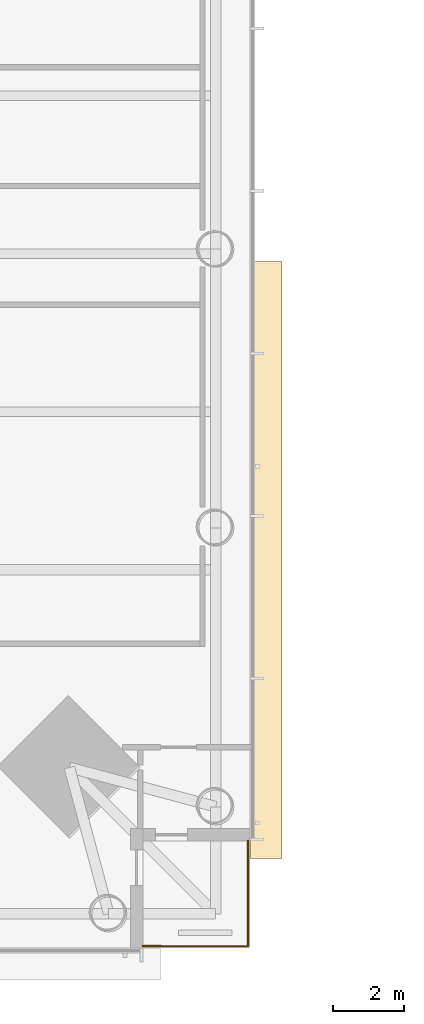
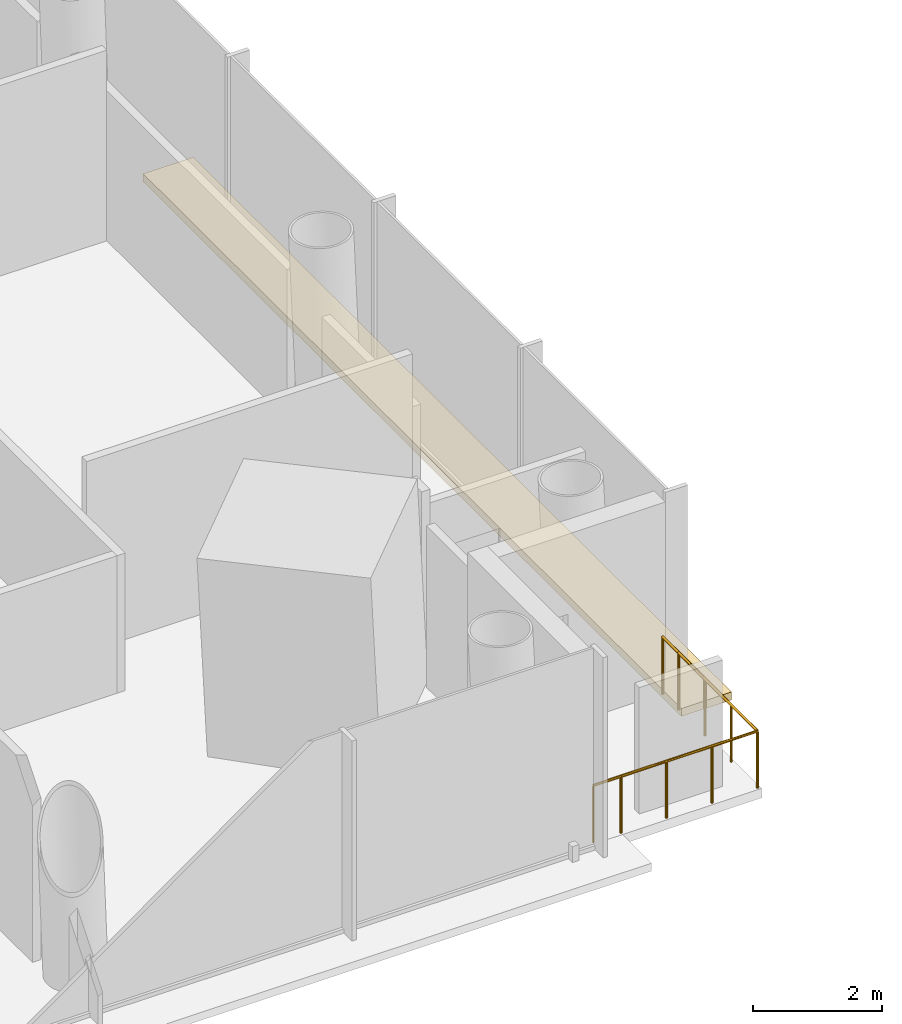
# One storey, part 24 of 26: 3 railings, 1 covering.
"""IFC4 building model written with IfcOpenShell, lengths in metres."""

from ifc_helpers import new_model, si_unit, direction, frame, origin, origin_2d, place, context, subcontext, project, spatial, polyline, circle, outline, extrude, material, layer, layer_set, type_object, element, save


model = new_model("IFC4")

# Units and contexts
model_context = context("Model", 3, precision=1e-05, world=origin(), true_north=direction((0.0, 1.0)))
body_context = subcontext(model_context, "Body", "Model", "MODEL_VIEW")
ifc_project = project(units=[si_unit("LENGTHUNIT", "METRE"), si_unit("AREAUNIT", "SQUARE_METRE"), si_unit("VOLUMEUNIT", "CUBIC_METRE"), si_unit("PLANEANGLEUNIT", "RADIAN"), si_unit("MASSUNIT", "GRAM", prefix="KILO")], contexts=[model_context])

# Site, building, storey
site_placement = place(None, origin())
site = spatial("IfcSite", under=ifc_project, at=site_placement, CompositionType="ELEMENT")
building_placement = place(site_placement, origin())
building = spatial("IfcBuilding", under=site, at=building_placement, Name="Ostroluk Exchange", CompositionType="ELEMENT")
storey_placement = place(building_placement, frame((0.0, 0.0, 66.60009765625)))
storey = spatial("IfcBuildingStorey", under=building, at=storey_placement, Name="L16", CompositionType="ELEMENT", Elevation=66.60009765625)

# Railings
ifc_material_1 = material(Name="Stainless steel", Category="steel")
railing_type_1 = type_object("IfcRailingType", Name="Guard 1100 stainless steel", PredefinedType="GUARDRAIL", material=ifc_material_1)
railing_1_placement = place(storey_placement, frame((66.0, 22.550048828125, 0.0)))
element("IfcRailing", 1, at=railing_1_placement, inside=storey, type_object=railing_type_1, Name="Office tower SE balcony guard L16", PredefinedType="GUARDRAIL", context=body_context, shape_type="SweptSolid", body=[
    extrude(circle(Radius=0.02392578125, at=origin_2d()), frame((0.0, 0.0, 1.076171875), z_axis=(1.0, 0.0, 0.0), x_axis=(0.0, 1.0, 0.0)), (0.0, 0.0, 1.0), 2.449951171875),
    extrude(circle(Radius=0.02392578125, at=origin_2d()), frame((2.449951171875, 0.0, 1.076171875), z_axis=(0.0, 1.0, 0.0), x_axis=(-1.0, 0.0, 0.0)), (0.0, 0.0, 1.0), 2.449951171875),
    extrude(circle(Radius=0.02099609375, at=origin_2d()), origin(), (0.0, 0.0, 1.0), 1.052001953125),
    extrude(circle(Radius=0.02099609375, at=origin_2d()), frame((0.816650390625, 0.0, 0.0)), (0.0, 0.0, 1.0), 1.052001953125),
    extrude(circle(Radius=0.02099609375, at=origin_2d()), frame((1.63330078125, 0.0, 0.0)), (0.0, 0.0, 1.0), 1.052001953125),
    extrude(circle(Radius=0.02099609375, at=origin_2d()), frame((2.449951171875, 0.0, 0.0)), (0.0, 0.0, 1.0), 1.052001953125),
    extrude(circle(Radius=0.02099609375, at=origin_2d()), frame((2.449951171875, 0.816650390625, 0.0)), (0.0, 0.0, 1.0), 1.052001953125),
    extrude(circle(Radius=0.02099609375, at=origin_2d()), frame((2.449951171875, 1.63330078125, 0.0)), (0.0, 0.0, 1.0), 1.052001953125),
    extrude(circle(Radius=0.02099609375, at=origin_2d()), frame((2.449951171875, 2.449951171875, 0.0)), (0.0, 0.0, 1.0), 1.052001953125),
])
ifc_material_2 = material(Name="Stainless steel", Category="steel")
railing_type_2 = type_object("IfcRailingType", Name="Lockable maintenance gate 1100", PredefinedType="GUARDRAIL", material=ifc_material_2)
railing_2_placement = place(storey_placement, frame((65.5, 22.550048828125, 0.0)))
element("IfcRailing", 2, at=railing_2_placement, inside=storey, type_object=railing_type_2, Name="Lockable maintenance gate T1 L16 SE", PredefinedType="GUARDRAIL", context=body_context, shape_type="SweptSolid", body=[
    extrude(circle(Radius=0.02392578125, at=origin_2d()), frame((0.0, 0.0, 1.076171875), z_axis=(1.0, 0.0, 0.0), x_axis=(0.0, 1.0, 0.0)), (0.0, 0.0, 1.0), 0.5),
    extrude(circle(Radius=0.02099609375, at=origin_2d()), origin(), (0.0, 0.0, 1.0), 1.052001953125),
    extrude(circle(Radius=0.02099609375, at=origin_2d()), frame((0.5, 0.0, 0.0)), (0.0, 0.0, 1.0), 1.052001953125),
])
railing_3_placement = place(storey_placement, frame((68.449951171875, 25.0, 0.0)))
element("IfcRailing", 3, at=railing_3_placement, inside=storey, type_object=railing_type_2, Name="Lockable maintenance gate T1 L16 SE", PredefinedType="GUARDRAIL", context=body_context, shape_type="SweptSolid", body=[
    extrude(circle(Radius=0.02392578125, at=origin_2d()), frame((0.0, 0.0, 1.076171875), z_axis=(0.0, 1.0, 0.0), x_axis=(-1.0, 0.0, 0.0)), (0.0, 0.0, 1.0), 0.5),
    extrude(circle(Radius=0.02099609375, at=origin_2d()), origin(), (0.0, 0.0, 1.0), 1.052001953125),
    extrude(circle(Radius=0.02099609375, at=origin_2d()), frame((0.0, 0.5, 0.0)), (0.0, 0.0, 1.0), 1.052001953125),
])

# Covering
ifc_material_3 = material(Name="Insulated steel roof deck with membrane, laid to falls, aluminium coping", Category="steel")
ifc_layer = layer(ifc_material_3, 0.14990234375)
ifc_layer_set = layer_set([ifc_layer], Name="Setback maintenance roof")
covering_type = type_object("IfcCoveringType", Name="Setback maintenance roof", PredefinedType="ROOFING", material=ifc_layer_set)
covering_placement = place(storey_placement, frame((0.0, 0.0, -0.150146484375)))
element("IfcCovering", 4, at=covering_placement, inside=storey, type_object=covering_type, Name="Maintenance roof, setback L16 east", PredefinedType="ROOFING", context=body_context, shape_type="SweptSolid", body=[
    extrude(outline(polyline([(68.5, 41.75), (69.39990234375, 41.75), (69.39990234375, 25.0), (68.5, 25.0), (68.5, 41.75)])), origin(), (0.0, 0.0, 1.0), 0.150146484375),
])

save(model, "model.ifc")
